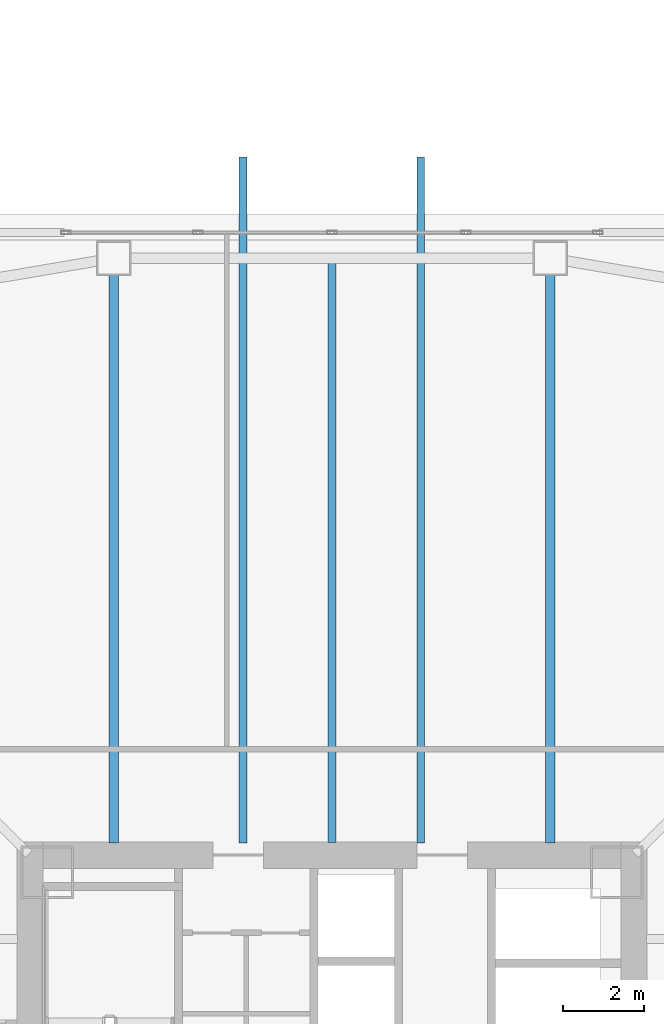
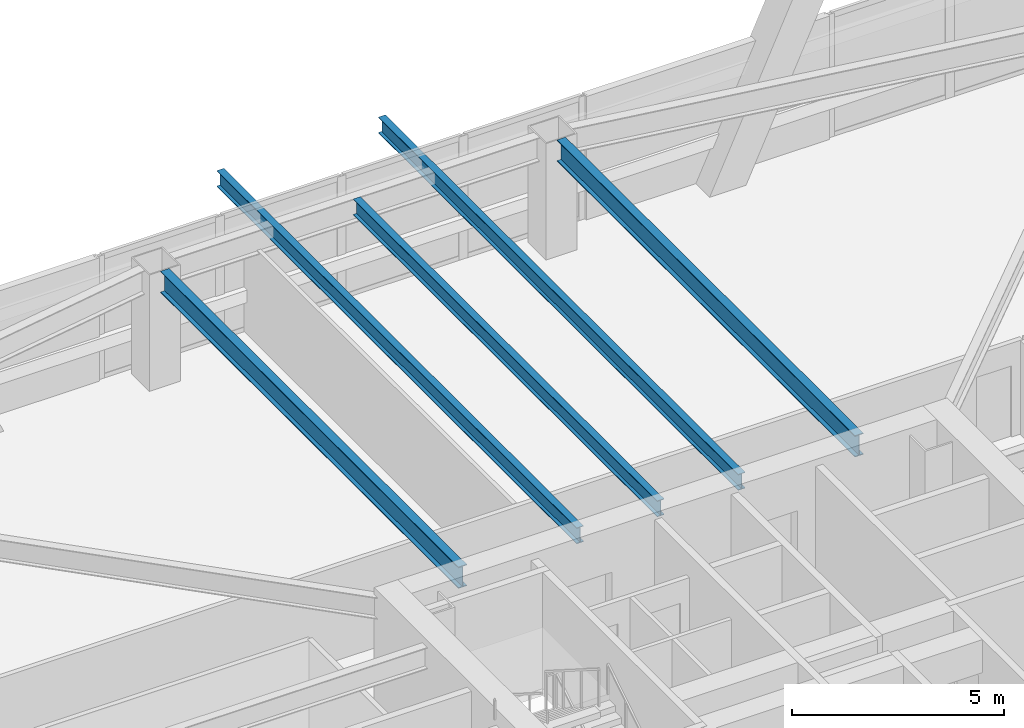
# One storey, part 20 of 75: 5 beams.
"""IFC4 building model written with IfcOpenShell, lengths in metres."""

from ifc_helpers import new_model, si_unit, direction, frame, origin, origin_2d, place, context, subcontext, project, spatial, i_section, extrude, material, material_profile, profile_set, type_object, element, save


model = new_model("IFC4")

# Units and contexts
model_context = context("Model", 3, precision=1e-05, world=origin(), true_north=direction((0.0, 1.0)))
body_context = subcontext(model_context, "Body", "Model", "MODEL_VIEW")
ifc_project = project(units=[si_unit("LENGTHUNIT", "METRE"), si_unit("AREAUNIT", "SQUARE_METRE"), si_unit("VOLUMEUNIT", "CUBIC_METRE"), si_unit("PLANEANGLEUNIT", "RADIAN"), si_unit("MASSUNIT", "GRAM", prefix="KILO")], contexts=[model_context])

# Site, building, storey
site_placement = place(None, origin())
site = spatial("IfcSite", under=ifc_project, at=site_placement, CompositionType="ELEMENT")
building_placement = place(site_placement, origin())
building = spatial("IfcBuilding", under=site, at=building_placement, Name="Tashvorn Skyway Center", CompositionType="ELEMENT")
storey_placement = place(building_placement, frame((0.0, 0.0, 45.89990234375)))
storey = spatial("IfcBuildingStorey", under=building, at=storey_placement, Name="L11", CompositionType="ELEMENT", Elevation=45.89990234375)

# Beams
ifc_material = material(Name="Steel ASTM A992 Grade 50", Category="steel")
ifc_material_profile_1 = material_profile(ifc_material, i_section(OverallWidth=0.22998046875, OverallDepth=0.616943359375, WebThickness=0.01318359375, FlangeThickness=0.022216796875, at=origin_2d()), Name="W24X94")
ifc_profile_set_1 = profile_set([ifc_material_profile_1], Name="Steel ASTM A992 Grade 50")
beam_type_1 = type_object("IfcBeamType", Name="BM-BEAM-W24X94", PredefinedType="BEAM", material=ifc_profile_set_1)
for number, where, z_axis, x_axis, name in (
    (1, (47.39990234375, 53.830078125, 3.04150390625), (0.0, -1.0, 0.0), (1.0, 0.0, 0.0), "Tower 1 L11 Primary Floor Girder FC-N1"),
    (2, (36.60009765625, 53.830078125, 3.04150390625), (0.0, -1.0, 0.0), (1.0, 0.0, 0.0), "Tower 1 L11 Primary Floor Girder FC-N2"),
):
    element("IfcBeam", number, at=place(storey_placement, frame(where, z_axis=z_axis, x_axis=x_axis)), inside=storey, type_object=beam_type_1, Name=name, PredefinedType="BEAM", context=body_context, shape_type="SweptSolid", body=[
        extrude(i_section(OverallWidth=0.22998046875, OverallDepth=0.616943359375, WebThickness=0.01318359375, FlangeThickness=0.022216796875, at=origin_2d()), origin(), (0.0, 0.0, 1.0), 14.050048828125),
    ])
ifc_material_profile_2 = material_profile(ifc_material, i_section(OverallWidth=0.19091796875, OverallDepth=0.4599609375, WebThickness=0.010009765625, FlangeThickness=0.01611328125, at=origin_2d()), Name="W18X55")
ifc_profile_set_2 = profile_set([ifc_material_profile_2], Name="Steel ASTM A992 Grade 50")
beam_type_2 = type_object("IfcBeamType", Name="BM-JOIST-W18X55", PredefinedType="JOIST", material=ifc_profile_set_2)
beam_placement = place(storey_placement, frame((42.0, 39.7900390625, 3.1201171875), z_axis=(0.0, 1.0, 0.0), x_axis=(-1.0, 0.0, 0.0)))
element("IfcBeam", 3, at=beam_placement, inside=storey, type_object=beam_type_2, Name="Tower 1 L11 Secondary Composite Joist JN", PredefinedType="JOIST", context=body_context, shape_type="SweptSolid", body=[
    extrude(i_section(OverallWidth=0.19091796875, OverallDepth=0.4599609375, WebThickness=0.010009765625, FlangeThickness=0.01611328125, at=origin_2d()), origin(), (0.0, 0.0, 1.0), 14.33984375),
])
for number, where, z_axis, x_axis, name in (
    (4, (39.800048828125, 39.780029296875, 3.1201171875), (0.0, 1.0, 0.0), (-1.0, 0.0, 0.0), "Tower 1 L12 Terrace Cantilever Outlooker 1"),
    (5, (44.199951171875, 39.780029296875, 3.1201171875), (0.0, 1.0, 0.0), (-1.0, 0.0, 0.0), "Tower 1 L12 Terrace Cantilever Outlooker 2"),
):
    element("IfcBeam", number, at=place(storey_placement, frame(where, z_axis=z_axis, x_axis=x_axis)), inside=storey, type_object=beam_type_2, Name=name, PredefinedType="JOIST", context=body_context, shape_type="SweptSolid", body=[
        extrude(i_section(OverallWidth=0.19091796875, OverallDepth=0.4599609375, WebThickness=0.010009765625, FlangeThickness=0.01611328125, at=origin_2d()), origin(), (0.0, 0.0, 1.0), 16.969970703125),
    ])

save(model, "model.ifc")
